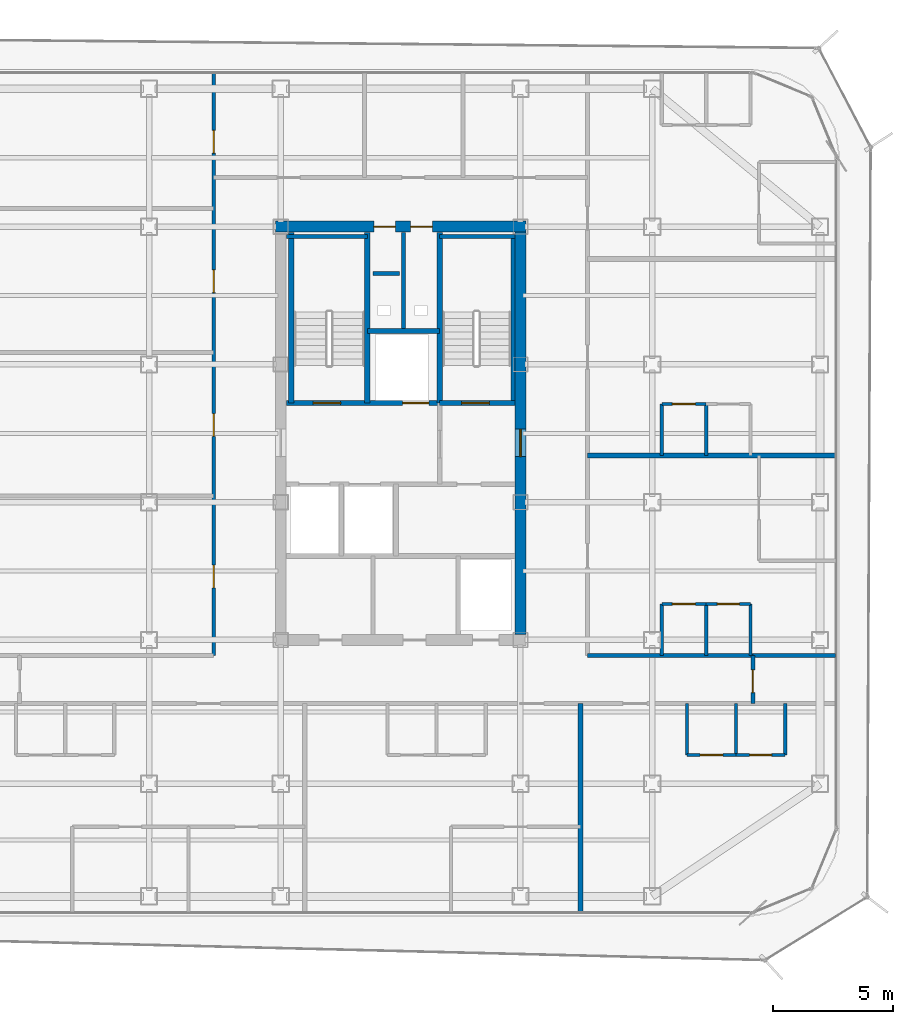
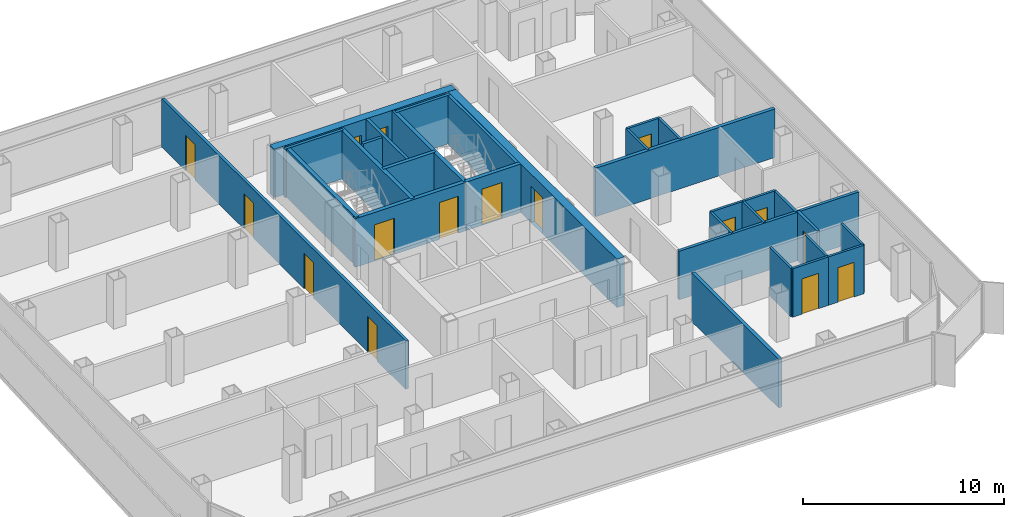
# One storey, part 11 of 15: 32 walls, 16 doors, 16 openings.
"""IFC4 building model written with IfcOpenShell, lengths in metres."""

from ifc_helpers import new_model, si_unit, direction, frame, frame_2d, origin, place, context, subcontext, project, spatial, rectangle, extrude, material, layer, layer_set, type_object, element, fill, save


model = new_model("IFC4")

# Units and contexts
model_context = context("Model", 3, precision=1e-05, world=origin(), true_north=direction((0.0, 1.0)))
body_context = subcontext(model_context, "Body", "Model", "MODEL_VIEW")
ifc_project = project(units=[si_unit("LENGTHUNIT", "METRE"), si_unit("AREAUNIT", "SQUARE_METRE"), si_unit("VOLUMEUNIT", "CUBIC_METRE"), si_unit("PLANEANGLEUNIT", "RADIAN"), si_unit("MASSUNIT", "GRAM", prefix="KILO")], contexts=[model_context])

# Site, building, storey
site_placement = place(None, origin())
site = spatial("IfcSite", under=ifc_project, at=site_placement, CompositionType="ELEMENT")
building_placement = place(site_placement, origin())
building = spatial("IfcBuilding", under=site, at=building_placement, Name="Kolveth Station Tower", CompositionType="ELEMENT")
storey_placement = place(building_placement, frame((0.0, 0.0, 199.60009765625)))
storey = spatial("IfcBuildingStorey", under=building, at=storey_placement, Name="L56", CompositionType="ELEMENT", Elevation=199.60009765625)

# Wall, openings, doors
ifc_material_1 = material(Name="Concrete C50/60", Category="concrete")
ifc_layer_1 = layer(ifc_material_1, 0.449951171875)
ifc_layer_set_1 = layer_set([ifc_layer_1], Name="Concrete C50/60")
wall_type_1 = type_object("IfcWallType", Name="Wall_CW-450", PredefinedType="SHEAR", material=ifc_layer_set_1)
wall_1_placement = place(storey_placement, frame((18.27490234375, 28.75, 0.0), z_axis=(0.0, 0.0, 1.0), x_axis=(1.0, 0.0, 0.0)))
wall_1 = element("IfcWall", 1, at=wall_1_placement, inside=storey, type_object=wall_type_1, Name="L56 Core RC Shear Wall N", PredefinedType="SHEAR", context=body_context, shape_type="SweptSolid", body=[
    extrude(rectangle(XDim=10.4501953125, YDim=0.449951171875, at=frame_2d((5.22509765625, 0.0))), origin(), (0.0, 0.0, 1.0), 2.949951171875),
])
opening_1_placement = place(wall_1_placement, frame((4.10498046875, 0.0, 0.0)))
opening_1 = element("IfcOpeningElement", 2, at=opening_1_placement, cuts=wall_1, Name="Opening RD1", PredefinedType="OPENING", context=body_context, shape_type="SweptSolid", body=[
    extrude(rectangle(XDim=0.89990234375, YDim=2.050048828125, at=frame_2d((0.449951171875, 1.02490234375))), frame((0.0, 0.23486328125, 0.0), z_axis=(0.0, -1.0, 0.0), x_axis=(1.0, 0.0, 0.0)), (0.0, 0.0, 1.0), 0.469970703125),
])
opening_2_placement = place(wall_1_placement, frame((5.64501953125, 0.0, 0.0)))
opening_2 = element("IfcOpeningElement", 3, at=opening_2_placement, cuts=wall_1, Name="Opening RD1", PredefinedType="OPENING", context=body_context, shape_type="SweptSolid", body=[
    extrude(rectangle(XDim=0.89990234375, YDim=2.050048828125, at=frame_2d((0.449951171875, 1.02490234375))), frame((0.0, 0.23486328125, 0.0), z_axis=(0.0, -1.0, 0.0), x_axis=(1.0, 0.0, 0.0)), (0.0, 0.0, 1.0), 0.469970703125),
])
ifc_material_2 = material(Name="Fire-rated Steel S355 riser access leaf", Category="steel")
door_type_1 = type_object("IfcDoorType", Name="Door_RD1", OperationType="NOTDEFINED", PredefinedType="DOOR", material=ifc_material_2)
door_1_placement = place(opening_1_placement, origin())
door_1 = element("IfcDoor", 4, at=door_1_placement, inside=storey, type_object=door_type_1, Name="L56 Electrical Riser Access Door", OperationType="SINGLE_SWING_RIGHT", OverallHeight=2.050048828125, OverallWidth=0.89990234375, PredefinedType="DOOR", context=body_context, shape_type="SweptSolid", body=[
    extrude(rectangle(XDim=0.89990234375, YDim=2.050048828125, at=frame_2d((0.449951171875, 1.02490234375))), frame((0.0, 0.02490234375, 0.0), z_axis=(0.0, -1.0, 0.0), x_axis=(1.0, 0.0, 0.0)), (0.0, 0.0, 1.0), 0.050048828125),
])
fill(opening_1, door_1)
door_2_placement = place(opening_2_placement, origin())
door_2 = element("IfcDoor", 5, at=door_2_placement, inside=storey, type_object=door_type_1, Name="L56 Smoke Duct Access Door", OperationType="SINGLE_SWING_LEFT", OverallHeight=2.050048828125, OverallWidth=0.89990234375, PredefinedType="DOOR", context=body_context, shape_type="SweptSolid", body=[
    extrude(rectangle(XDim=0.89990234375, YDim=2.050048828125, at=frame_2d((0.449951171875, 1.02490234375))), frame((0.0, 0.02490234375, 0.0), z_axis=(0.0, -1.0, 0.0), x_axis=(1.0, 0.0, 0.0)), (0.0, 0.0, 1.0), 0.050048828125),
])
fill(opening_2, door_2)

# Wall, opening, door
wall_2_placement = place(storey_placement, frame((28.5, 11.72509765625, 0.0), z_axis=(0.0, 0.0, 1.0), x_axis=(0.0, 1.0, 0.0)))
wall_2 = element("IfcWall", 6, at=wall_2_placement, inside=storey, type_object=wall_type_1, Name="L56 Core RC Shear Wall E", PredefinedType="SHEAR", context=body_context, shape_type="SweptSolid", body=[
    extrude(rectangle(XDim=16.7998046875, YDim=0.449951171875, at=frame_2d((8.39990234375, 0.0))), origin(), (0.0, 0.0, 1.0), 2.949951171875),
])
opening_3_placement = place(wall_2_placement, frame((7.425048828125, 0.0, 0.0)))
opening_3 = element("IfcOpeningElement", 7, at=opening_3_placement, cuts=wall_2, Name="Opening FD1", PredefinedType="OPENING", context=body_context, shape_type="SweptSolid", body=[
    extrude(rectangle(XDim=1.14990234375, YDim=2.199951171875, at=frame_2d((0.574951171875, 1.10009765625))), frame((0.0, 0.23486328125, 0.0), z_axis=(0.0, -1.0, 0.0), x_axis=(1.0, 0.0, 0.0)), (0.0, 0.0, 1.0), 0.469970703125),
])
ifc_material_3 = material(Name="Fire-rated Steel S355 leaf and frame", Category="steel")
door_type_2 = type_object("IfcDoorType", Name="Door_FD1", OperationType="NOTDEFINED", PredefinedType="DOOR", material=ifc_material_3)
door_3_placement = place(opening_3_placement, origin())
door_3 = element("IfcDoor", 8, at=door_3_placement, inside=storey, type_object=door_type_2, Name="L56 East Corridor to Stair Lobby Door", OperationType="SINGLE_SWING_LEFT", OverallHeight=2.199951171875, OverallWidth=1.14990234375, PredefinedType="DOOR", context=body_context, shape_type="SweptSolid", body=[
    extrude(rectangle(XDim=1.14990234375, YDim=2.199951171875, at=frame_2d((0.574951171875, 1.10009765625))), frame((0.0, 0.02490234375, 0.0), z_axis=(0.0, -1.0, 0.0), x_axis=(1.0, 0.0, 0.0)), (0.0, 0.0, 1.0), 0.050048828125),
])
fill(opening_3, door_3)

ifc_material_4 = material(Name="Moisture-resistant gypsum partition")
ifc_layer_2 = layer(ifc_material_4, 0.135009765625)
ifc_layer_set_2 = layer_set([ifc_layer_2], Name="Moisture-resistant gypsum partition")
wall_type_2 = type_object("IfcWallType", Name="Wall_IW-135", PredefinedType="PARTITIONING", material=ifc_layer_set_2)
wall_3_placement = place(storey_placement, frame((35.449951171875, 6.699951171875, 0.0), z_axis=(0.0, 0.0, 1.0), x_axis=(1.0, 0.0, 0.0)))
wall_3 = element("IfcWall", 9, at=wall_3_placement, inside=storey, type_object=wall_type_2, Name="L56 Partition Wall WL-L56-A3-IBHK", PredefinedType="PARTITIONING", context=body_context, shape_type="SweptSolid", body=[
    extrude(rectangle(XDim=2.050048828125, YDim=0.135009765625, at=frame_2d((1.02490234375, 0.0))), origin(), (0.0, 0.0, 1.0), 2.949951171875),
])
opening_4_placement = place(wall_3_placement, frame((0.544921875, 0.0, 0.0)))
opening_4 = element("IfcOpeningElement", 10, at=opening_4_placement, cuts=wall_3, Name="Opening ID1", PredefinedType="OPENING", context=body_context, shape_type="SweptSolid", body=[
    extrude(rectangle(XDim=0.949951171875, YDim=2.14990234375, at=frame_2d((0.47509765625, 1.074951171875))), frame((0.0, 0.077392578125, 0.0), z_axis=(0.0, -1.0, 0.0), x_axis=(1.0, 0.0, 0.0)), (0.0, 0.0, 1.0), 0.155029296875),
])
ifc_material_5 = material(Name="Acoustic hardwood leaf and aluminium frame", Category="wood")
door_type_3 = type_object("IfcDoorType", Name="Door_ID1", OperationType="NOTDEFINED", PredefinedType="DOOR", material=ifc_material_5)
door_4_placement = place(opening_4_placement, origin())
door_4 = element("IfcDoor", 11, at=door_4_placement, inside=storey, type_object=door_type_3, Name="Flat L56-A3 Kitchen Door", OperationType="SINGLE_SWING_LEFT", OverallHeight=2.14990234375, OverallWidth=0.949951171875, PredefinedType="DOOR", context=body_context, shape_type="SweptSolid", body=[
    extrude(rectangle(XDim=0.949951171875, YDim=2.14990234375, at=frame_2d((0.47509765625, 1.074951171875))), frame((0.0, 0.02490234375, 0.0), z_axis=(0.0, -1.0, 0.0), x_axis=(1.0, 0.0, 0.0)), (0.0, 0.0, 1.0), 0.050048828125),
])
fill(opening_4, door_4)

wall_4_placement = place(storey_placement, frame((37.5, 6.699951171875, 0.0), z_axis=(0.0, 0.0, 1.0), x_axis=(1.0, 0.0, 0.0)))
wall_4 = element("IfcWall", 12, at=wall_4_placement, inside=storey, type_object=wall_type_2, Name="L56 Partition Wall WL-L56-A3-IBHB", PredefinedType="PARTITIONING", context=body_context, shape_type="SweptSolid", body=[
    extrude(rectangle(XDim=2.050048828125, YDim=0.135009765625, at=frame_2d((1.02490234375, 0.0))), origin(), (0.0, 0.0, 1.0), 2.949951171875),
])
opening_5_placement = place(wall_4_placement, frame((0.56494140625, 0.0, 0.0)))
opening_5 = element("IfcOpeningElement", 13, at=opening_5_placement, cuts=wall_4, Name="Opening ID2", PredefinedType="OPENING", context=body_context, shape_type="SweptSolid", body=[
    extrude(rectangle(XDim=0.919921875, YDim=2.10009765625, at=frame_2d((0.4599609375, 1.050048828125))), frame((0.0, 0.077392578125, 0.0), z_axis=(0.0, -1.0, 0.0), x_axis=(1.0, 0.0, 0.0)), (0.0, 0.0, 1.0), 0.155029296875),
])
ifc_material_6 = material(Name="Moisture-resistant hardwood leaf", Category="wood")
door_type_4 = type_object("IfcDoorType", Name="Door_ID2", OperationType="NOTDEFINED", PredefinedType="DOOR", material=ifc_material_6)
door_5_placement = place(opening_5_placement, origin())
door_5 = element("IfcDoor", 14, at=door_5_placement, inside=storey, type_object=door_type_4, Name="Flat L56-A3 Bathroom Door", OperationType="SINGLE_SWING_LEFT", OverallHeight=2.10009765625, OverallWidth=0.919921875, PredefinedType="DOOR", context=body_context, shape_type="SweptSolid", body=[
    extrude(rectangle(XDim=0.919921875, YDim=2.10009765625, at=frame_2d((0.4599609375, 1.050048828125))), frame((0.0, 0.02490234375, 0.0), z_axis=(0.0, -1.0, 0.0), x_axis=(1.0, 0.0, 0.0)), (0.0, 0.0, 1.0), 0.050048828125),
])
fill(opening_5, door_5)

# Walls
for number, where, z_axis, x_axis, name in (
    (15, (35.449951171875, 6.699951171875, 0.0), (0.0, 0.0, 1.0), (0.0, 1.0, 0.0), "L56 Partition Wall WL-L56-A3-IBV0"),
    (16, (37.5, 6.699951171875, 0.0), (0.0, 0.0, 1.0), (0.0, 1.0, 0.0), "L56 Partition Wall WL-L56-A3-IBV1"),
    (17, (39.550048828125, 6.699951171875, 0.0), (0.0, 0.0, 1.0), (0.0, 1.0, 0.0), "L56 Partition Wall WL-L56-A3-IBV2"),
):
    element("IfcWall", number, at=place(storey_placement, frame(where, z_axis=z_axis, x_axis=x_axis)), inside=storey, type_object=wall_type_2, Name=name, PredefinedType="PARTITIONING", context=body_context, shape_type="SweptSolid", body=[
        extrude(rectangle(XDim=2.150146484375, YDim=0.135009765625, at=frame_2d((1.0751953125, 0.0))), origin(), (0.0, 0.0, 1.0), 2.949951171875),
    ])

# Wall, opening, door
wall_5_placement = place(storey_placement, frame((34.39990234375, 13.0, 0.0), z_axis=(0.0, 0.0, 1.0), x_axis=(1.0, 0.0, 0.0)))
wall_5 = element("IfcWall", 18, at=wall_5_placement, inside=storey, type_object=wall_type_2, Name="L56 Partition Wall WL-L56-E1-IBHK", PredefinedType="PARTITIONING", context=body_context, shape_type="SweptSolid", body=[
    extrude(rectangle(XDim=1.85009765625, YDim=0.135009765625, at=frame_2d((0.925048828125, 0.0))), origin(), (0.0, 0.0, 1.0), 2.949951171875),
])
opening_6_placement = place(wall_5_placement, frame((0.445068359375, 0.0, 0.0)))
opening_6 = element("IfcOpeningElement", 19, at=opening_6_placement, cuts=wall_5, Name="Opening ID1", PredefinedType="OPENING", context=body_context, shape_type="SweptSolid", body=[
    extrude(rectangle(XDim=0.949951171875, YDim=2.14990234375, at=frame_2d((0.47509765625, 1.074951171875))), frame((0.0, 0.077392578125, 0.0), z_axis=(0.0, -1.0, 0.0), x_axis=(1.0, 0.0, 0.0)), (0.0, 0.0, 1.0), 0.155029296875),
])
door_6_placement = place(opening_6_placement, origin())
door_6 = element("IfcDoor", 20, at=door_6_placement, inside=storey, type_object=door_type_3, Name="Flat L56-E1 Kitchen Door", OperationType="SINGLE_SWING_RIGHT", OverallHeight=2.14990234375, OverallWidth=0.949951171875, PredefinedType="DOOR", context=body_context, shape_type="SweptSolid", body=[
    extrude(rectangle(XDim=0.949951171875, YDim=2.14990234375, at=frame_2d((0.47509765625, 1.074951171875))), frame((0.0, 0.02490234375, 0.0), z_axis=(0.0, -1.0, 0.0), x_axis=(1.0, 0.0, 0.0)), (0.0, 0.0, 1.0), 0.050048828125),
])
fill(opening_6, door_6)

wall_6_placement = place(storey_placement, frame((36.25, 13.0, 0.0), z_axis=(0.0, 0.0, 1.0), x_axis=(1.0, 0.0, 0.0)))
wall_6 = element("IfcWall", 21, at=wall_6_placement, inside=storey, type_object=wall_type_2, Name="L56 Partition Wall WL-L56-E1-IBHB", PredefinedType="PARTITIONING", context=body_context, shape_type="SweptSolid", body=[
    extrude(rectangle(XDim=1.85009765625, YDim=0.135009765625, at=frame_2d((0.925048828125, 0.0))), origin(), (0.0, 0.0, 1.0), 2.949951171875),
])
opening_7_placement = place(wall_6_placement, frame((0.465087890625, 0.0, 0.0)))
opening_7 = element("IfcOpeningElement", 22, at=opening_7_placement, cuts=wall_6, Name="Opening ID2", PredefinedType="OPENING", context=body_context, shape_type="SweptSolid", body=[
    extrude(rectangle(XDim=0.919921875, YDim=2.10009765625, at=frame_2d((0.4599609375, 1.050048828125))), frame((0.0, 0.077392578125, 0.0), z_axis=(0.0, -1.0, 0.0), x_axis=(1.0, 0.0, 0.0)), (0.0, 0.0, 1.0), 0.155029296875),
])
door_7_placement = place(opening_7_placement, origin())
door_7 = element("IfcDoor", 23, at=door_7_placement, inside=storey, type_object=door_type_4, Name="Flat L56-E1 Bathroom Door", OperationType="SINGLE_SWING_LEFT", OverallHeight=2.10009765625, OverallWidth=0.919921875, PredefinedType="DOOR", context=body_context, shape_type="SweptSolid", body=[
    extrude(rectangle(XDim=0.919921875, YDim=2.10009765625, at=frame_2d((0.4599609375, 1.050048828125))), frame((0.0, 0.02490234375, 0.0), z_axis=(0.0, -1.0, 0.0), x_axis=(1.0, 0.0, 0.0)), (0.0, 0.0, 1.0), 0.050048828125),
])
fill(opening_7, door_7)

# Walls
for number, where, z_axis, x_axis, name in (
    (24, (34.39990234375, 10.85009765625, 0.0), (0.0, 0.0, 1.0), (0.0, 1.0, 0.0), "L56 Partition Wall WL-L56-E1-IBV0"),
    (25, (36.25, 10.85009765625, 0.0), (0.0, 0.0, 1.0), (0.0, 1.0, 0.0), "L56 Partition Wall WL-L56-E1-IBV1"),
    (26, (38.10009765625, 10.85009765625, 0.0), (0.0, 0.0, 1.0), (0.0, 1.0, 0.0), "L56 Partition Wall WL-L56-E1-IBV2"),
):
    element("IfcWall", number, at=place(storey_placement, frame(where, z_axis=z_axis, x_axis=x_axis)), inside=storey, type_object=wall_type_2, Name=name, PredefinedType="PARTITIONING", context=body_context, shape_type="SweptSolid", body=[
        extrude(rectangle(XDim=2.14990234375, YDim=0.135009765625, at=frame_2d((1.074951171875, 0.0))), origin(), (0.0, 0.0, 1.0), 2.949951171875),
    ])

# Wall, opening, door
wall_7_placement = place(storey_placement, frame((34.39990234375, 21.35009765625, 0.0), z_axis=(0.0, 0.0, 1.0), x_axis=(1.0, 0.0, 0.0)))
wall_7 = element("IfcWall", 27, at=wall_7_placement, inside=storey, type_object=wall_type_2, Name="L56 Partition Wall WL-L56-E2-IBHK", PredefinedType="PARTITIONING", context=body_context, shape_type="SweptSolid", body=[
    extrude(rectangle(XDim=1.85009765625, YDim=0.135009765625, at=frame_2d((0.925048828125, 0.0))), origin(), (0.0, 0.0, 1.0), 2.949951171875),
])
opening_8_placement = place(wall_7_placement, frame((0.445068359375, 0.0, 0.0)))
opening_8 = element("IfcOpeningElement", 28, at=opening_8_placement, cuts=wall_7, Name="Opening ID1", PredefinedType="OPENING", context=body_context, shape_type="SweptSolid", body=[
    extrude(rectangle(XDim=0.949951171875, YDim=2.14990234375, at=frame_2d((0.47509765625, 1.074951171875))), frame((0.0, 0.077392578125, 0.0), z_axis=(0.0, -1.0, 0.0), x_axis=(1.0, 0.0, 0.0)), (0.0, 0.0, 1.0), 0.155029296875),
])
door_8_placement = place(opening_8_placement, origin())
door_8 = element("IfcDoor", 29, at=door_8_placement, inside=storey, type_object=door_type_3, Name="Flat L56-E2 Kitchen Door", OperationType="SINGLE_SWING_RIGHT", OverallHeight=2.14990234375, OverallWidth=0.949951171875, PredefinedType="DOOR", context=body_context, shape_type="SweptSolid", body=[
    extrude(rectangle(XDim=0.949951171875, YDim=2.14990234375, at=frame_2d((0.47509765625, 1.074951171875))), frame((0.0, 0.02490234375, 0.0), z_axis=(0.0, -1.0, 0.0), x_axis=(1.0, 0.0, 0.0)), (0.0, 0.0, 1.0), 0.050048828125),
])
fill(opening_8, door_8)

# Walls
for number, where, z_axis, x_axis, name in (
    (30, (34.39990234375, 19.199951171875, 0.0), (0.0, 0.0, 1.0), (0.0, 1.0, 0.0), "L56 Partition Wall WL-L56-E2-IBV0"),
    (31, (36.25, 19.199951171875, 0.0), (0.0, 0.0, 1.0), (0.0, 1.0, 0.0), "L56 Partition Wall WL-L56-E2-IBV1"),
):
    element("IfcWall", number, at=place(storey_placement, frame(where, z_axis=z_axis, x_axis=x_axis)), inside=storey, type_object=wall_type_2, Name=name, PredefinedType="PARTITIONING", context=body_context, shape_type="SweptSolid", body=[
        extrude(rectangle(XDim=2.150146484375, YDim=0.135009765625, at=frame_2d((1.0751953125, 0.0))), origin(), (0.0, 0.0, 1.0), 2.949951171875),
    ])
ifc_material_7 = material(Name="Acoustic double-stud gypsum partition")
ifc_layer_3 = layer(ifc_material_7, 0.1650390625)
ifc_layer_set_3 = layer_set([ifc_layer_3], Name="Acoustic double-stud gypsum partition")
wall_type_3 = type_object("IfcWallType", Name="Wall_IW-165", PredefinedType="PARTITIONING", material=ifc_layer_set_3)
wall_8_placement = place(storey_placement, frame((18.735107421875, 28.3349609375, 0.0), z_axis=(0.0, 0.0, 1.0), x_axis=(1.0, 0.0, 0.0)))
element("IfcWall", 32, at=wall_8_placement, inside=storey, type_object=wall_type_3, Name="L56 Stair Shaft Wall WL-L56-ST1-N", PredefinedType="PARTITIONING", context=body_context, shape_type="SweptSolid", body=[
    extrude(rectangle(XDim=3.375, YDim=0.1650390625, at=frame_2d((1.6875, 0.0))), origin(), (0.0, 0.0, 1.0), 2.949951171875),
])
wall_9_placement = place(storey_placement, frame((25.1298828125, 28.3349609375, 0.0), z_axis=(0.0, 0.0, 1.0), x_axis=(1.0, 0.0, 0.0)))
element("IfcWall", 33, at=wall_9_placement, inside=storey, type_object=wall_type_3, Name="L56 Stair Shaft Wall WL-L56-ST2-N", PredefinedType="PARTITIONING", context=body_context, shape_type="SweptSolid", body=[
    extrude(rectangle(XDim=3.135009765625, YDim=0.1650390625, at=frame_2d((1.5673828125, 0.0))), origin(), (0.0, 0.0, 1.0), 2.949951171875),
])
wall_10_placement = place(storey_placement, frame((28.1826171875, 21.389892578125, 0.0), z_axis=(0.0, 0.0, 1.0), x_axis=(0.0, 1.0, 0.0)))
element("IfcWall", 34, at=wall_10_placement, inside=storey, type_object=wall_type_3, Name="L56 Stair Shaft Wall WL-L56-ST2-E", PredefinedType="PARTITIONING", context=body_context, shape_type="SweptSolid", body=[
    extrude(rectangle(XDim=6.945068359375, YDim=0.1650390625, at=frame_2d((3.47265625, 0.0))), origin(), (0.0, 0.0, 1.0), 2.949951171875),
])
wall_11_placement = place(storey_placement, frame((23.6201171875, 24.39990234375, 0.0), z_axis=(0.0, 0.0, 1.0), x_axis=(0.0, 1.0, 0.0)))
element("IfcWall", 35, at=wall_11_placement, inside=storey, type_object=wall_type_3, Name="L56 Partition Wall WL-L56-RSR-M", PredefinedType="PARTITIONING", context=body_context, shape_type="SweptSolid", body=[
    extrude(rectangle(XDim=4.114990234375, YDim=0.1650390625, at=frame_2d((2.0576171875, 0.0))), origin(), (0.0, 0.0, 1.0), 2.949951171875),
])
wall_12_placement = place(storey_placement, frame((31.300048828125, 10.85009765625, 0.0), z_axis=(0.0, 0.0, 1.0), x_axis=(1.0, 0.0, 0.0)))
element("IfcWall", 36, at=wall_12_placement, inside=storey, type_object=wall_type_3, Name="L56 Partition Wall WL-L56-RSET", PredefinedType="PARTITIONING", context=body_context, shape_type="SweptSolid", body=[
    extrude(rectangle(XDim=6.89990234375, YDim=0.1650390625, at=frame_2d((3.449951171875, 0.0))), origin(), (0.0, 0.0, 1.0), 2.949951171875),
])

# Wall, opening, door
wall_13_placement = place(storey_placement, frame((38.199951171875, 8.85009765625, 0.0), z_axis=(0.0, 0.0, 1.0), x_axis=(0.0, 1.0, 0.0)))
wall_13 = element("IfcWall", 37, at=wall_13_placement, inside=storey, type_object=wall_type_3, Name="L56 Partition Wall WL-L56-RSEE", PredefinedType="PARTITIONING", context=body_context, shape_type="SweptSolid", body=[
    extrude(rectangle(XDim=2.0, YDim=0.1650390625, at=frame_2d((1.0, 0.0))), origin(), (0.0, 0.0, 1.0), 2.949951171875),
])
opening_9_placement = place(wall_13_placement, frame((0.449951171875, 0.0, 0.0)))
opening_9 = element("IfcOpeningElement", 38, at=opening_9_placement, cuts=wall_13, Name="Opening ID1", PredefinedType="OPENING", context=body_context, shape_type="SweptSolid", body=[
    extrude(rectangle(XDim=0.949951171875, YDim=2.14990234375, at=frame_2d((0.47509765625, 1.074951171875))), frame((0.0, 0.092529296875, 0.0), z_axis=(0.0, -1.0, 0.0), x_axis=(1.0, 0.0, 0.0)), (0.0, 0.0, 1.0), 0.18505859375),
])
door_9_placement = place(opening_9_placement, origin())
door_9 = element("IfcDoor", 39, at=door_9_placement, inside=storey, type_object=door_type_3, Name="L56 Hobby Study Door", OperationType="SINGLE_SWING_LEFT", OverallHeight=2.14990234375, OverallWidth=0.949951171875, PredefinedType="DOOR", context=body_context, shape_type="SweptSolid", body=[
    extrude(rectangle(XDim=0.949951171875, YDim=2.14990234375, at=frame_2d((0.47509765625, 1.074951171875))), frame((0.0, 0.02490234375, 0.0), z_axis=(0.0, -1.0, 0.0), x_axis=(1.0, 0.0, 0.0)), (0.0, 0.0, 1.0), 0.050048828125),
])
fill(opening_9, door_9)

# Wall, openings, doors
wall_14_placement = place(storey_placement, frame((15.699951171875, 10.85009765625, 0.0), z_axis=(0.0, 0.0, 1.0), x_axis=(0.0, 1.0, 0.0)))
wall_14 = element("IfcWall", 40, at=wall_14_placement, inside=storey, type_object=wall_type_3, Name="L56 Partition Wall WL-L56-RW", PredefinedType="PARTITIONING", context=body_context, shape_type="SweptSolid", body=[
    extrude(rectangle(XDim=24.289794921875, YDim=0.1650390625, at=frame_2d((12.14501953125, 0.0))), origin(), (0.0, 0.0, 1.0), 2.949951171875),
])
opening_10_placement = place(wall_14_placement, frame((2.824951171875, 0.0, 0.0)))
opening_10 = element("IfcOpeningElement", 41, at=opening_10_placement, cuts=wall_14, Name="Opening ID1", PredefinedType="OPENING", context=body_context, shape_type="SweptSolid", body=[
    extrude(rectangle(XDim=0.949951171875, YDim=2.14990234375, at=frame_2d((0.47509765625, 1.074951171875))), frame((0.0, 0.092529296875, 0.0), z_axis=(0.0, -1.0, 0.0), x_axis=(1.0, 0.0, 0.0)), (0.0, 0.0, 1.0), 0.18505859375),
])
opening_11_placement = place(wall_14_placement, frame((9.14990234375, 0.0, 0.0)))
opening_11 = element("IfcOpeningElement", 42, at=opening_11_placement, cuts=wall_14, Name="Opening ID1", PredefinedType="OPENING", context=body_context, shape_type="SweptSolid", body=[
    extrude(rectangle(XDim=0.949951171875, YDim=2.14990234375, at=frame_2d((0.47509765625, 1.074951171875))), frame((0.0, 0.092529296875, 0.0), z_axis=(0.0, -1.0, 0.0), x_axis=(1.0, 0.0, 0.0)), (0.0, 0.0, 1.0), 0.18505859375),
])
opening_12_placement = place(wall_14_placement, frame((15.14990234375, 0.0, 0.0)))
opening_12 = element("IfcOpeningElement", 43, at=opening_12_placement, cuts=wall_14, Name="Opening ID1", PredefinedType="OPENING", context=body_context, shape_type="SweptSolid", body=[
    extrude(rectangle(XDim=0.949951171875, YDim=2.14990234375, at=frame_2d((0.47509765625, 1.074951171875))), frame((0.0, 0.092529296875, 0.0), z_axis=(0.0, -1.0, 0.0), x_axis=(1.0, 0.0, 0.0)), (0.0, 0.0, 1.0), 0.18505859375),
])
opening_13_placement = place(wall_14_placement, frame((20.969970703125, 0.0, 0.0)))
opening_13 = element("IfcOpeningElement", 44, at=opening_13_placement, cuts=wall_14, Name="Opening ID1", PredefinedType="OPENING", context=body_context, shape_type="SweptSolid", body=[
    extrude(rectangle(XDim=0.949951171875, YDim=2.14990234375, at=frame_2d((0.47509765625, 1.074951171875))), frame((0.0, 0.092529296875, 0.0), z_axis=(0.0, -1.0, 0.0), x_axis=(1.0, 0.0, 0.0)), (0.0, 0.0, 1.0), 0.18505859375),
])
door_10_placement = place(opening_10_placement, frame((0.949951171875, 0.0, 0.0), z_axis=(0.0, 0.0, 1.0), x_axis=(-1.0, 0.0, 0.0)))
door_10 = element("IfcDoor", 45, at=door_10_placement, inside=storey, type_object=door_type_3, Name="L56 Live-Work Office W1 Door", OperationType="SINGLE_SWING_RIGHT", OverallHeight=2.14990234375, OverallWidth=0.949951171875, PredefinedType="DOOR", context=body_context, shape_type="SweptSolid", body=[
    extrude(rectangle(XDim=0.949951171875, YDim=2.14990234375, at=frame_2d((0.47509765625, 1.074951171875))), frame((0.0, 0.02490234375, 0.0), z_axis=(0.0, -1.0, 0.0), x_axis=(1.0, 0.0, 0.0)), (0.0, 0.0, 1.0), 0.050048828125),
])
fill(opening_10, door_10)
door_11_placement = place(opening_11_placement, frame((0.949951171875, 0.0, 0.0), z_axis=(0.0, 0.0, 1.0), x_axis=(-1.0, 0.0, 0.0)))
door_11 = element("IfcDoor", 46, at=door_11_placement, inside=storey, type_object=door_type_3, Name="L56 Live-Work Office W2 Door", OperationType="SINGLE_SWING_LEFT", OverallHeight=2.14990234375, OverallWidth=0.949951171875, PredefinedType="DOOR", context=body_context, shape_type="SweptSolid", body=[
    extrude(rectangle(XDim=0.949951171875, YDim=2.14990234375, at=frame_2d((0.47509765625, 1.074951171875))), frame((0.0, 0.02490234375, 0.0), z_axis=(0.0, -1.0, 0.0), x_axis=(1.0, 0.0, 0.0)), (0.0, 0.0, 1.0), 0.050048828125),
])
fill(opening_11, door_11)
door_12_placement = place(opening_12_placement, frame((0.949951171875, 0.0, 0.0), z_axis=(0.0, 0.0, 1.0), x_axis=(-1.0, 0.0, 0.0)))
door_12 = element("IfcDoor", 47, at=door_12_placement, inside=storey, type_object=door_type_3, Name="L56 Live-Work Meeting Room Door", OperationType="SINGLE_SWING_RIGHT", OverallHeight=2.14990234375, OverallWidth=0.949951171875, PredefinedType="DOOR", context=body_context, shape_type="SweptSolid", body=[
    extrude(rectangle(XDim=0.949951171875, YDim=2.14990234375, at=frame_2d((0.47509765625, 1.074951171875))), frame((0.0, 0.02490234375, 0.0), z_axis=(0.0, -1.0, 0.0), x_axis=(1.0, 0.0, 0.0)), (0.0, 0.0, 1.0), 0.050048828125),
])
fill(opening_12, door_12)
door_13_placement = place(opening_13_placement, frame((0.949951171875, 0.0, 0.0), z_axis=(0.0, 0.0, 1.0), x_axis=(-1.0, 0.0, 0.0)))
door_13 = element("IfcDoor", 48, at=door_13_placement, inside=storey, type_object=door_type_3, Name="L56 Quiet Study Room Door", OperationType="SINGLE_SWING_LEFT", OverallHeight=2.14990234375, OverallWidth=0.949951171875, PredefinedType="DOOR", context=body_context, shape_type="SweptSolid", body=[
    extrude(rectangle(XDim=0.949951171875, YDim=2.14990234375, at=frame_2d((0.47509765625, 1.074951171875))), frame((0.0, 0.02490234375, 0.0), z_axis=(0.0, -1.0, 0.0), x_axis=(1.0, 0.0, 0.0)), (0.0, 0.0, 1.0), 0.050048828125),
])
fill(opening_13, door_13)

# Walls
wall_15_placement = place(storey_placement, frame((38.199951171875, 10.85009765625, 0.0), z_axis=(0.0, 0.0, 1.0), x_axis=(1.0, 0.0, 0.0)))
element("IfcWall", 49, at=wall_15_placement, inside=storey, type_object=wall_type_3, Name="L56 Partition Wall WL-L56-ESTN", PredefinedType="PARTITIONING", context=body_context, shape_type="SweptSolid", body=[
    extrude(rectangle(XDim=3.43994140625, YDim=0.1650390625, at=frame_2d((1.719970703125, 0.0))), origin(), (0.0, 0.0, 1.0), 2.949951171875),
])
wall_16_placement = place(storey_placement, frame((22.35009765625, 26.800048828125, 0.0), z_axis=(0.0, 0.0, 1.0), x_axis=(1.0, 0.0, 0.0)))
element("IfcWall", 50, at=wall_16_placement, inside=storey, type_object=wall_type_3, Name="L56 Acoustic Riser Dry-Lining Wall", PredefinedType="PARTITIONING", context=body_context, shape_type="SweptSolid", body=[
    extrude(rectangle(XDim=1.099853515625, YDim=0.1650390625, at=frame_2d((0.5498046875, 0.0))), origin(), (0.0, 0.0, 1.0), 2.949951171875),
])
ifc_material_8 = material(Name="Acoustic fire-rated gypsum blockwork", Category="masonry")
ifc_layer_4 = layer(ifc_material_8, 0.199951171875)
ifc_layer_set_4 = layer_set([ifc_layer_4], Name="Acoustic fire-rated gypsum blockwork")
wall_type_4 = type_object("IfcWallType", Name="Wall_IW-200", PredefinedType="PARTITIONING", material=ifc_layer_set_4)
wall_17_placement = place(storey_placement, frame((22.110107421875, 24.39990234375, 0.0), z_axis=(0.0, 0.0, 1.0), x_axis=(1.0, 0.0, 0.0)))
element("IfcWall", 51, at=wall_17_placement, inside=storey, type_object=wall_type_4, Name="L56 Partition Wall WL-L56-RSR-S", PredefinedType="PARTITIONING", context=body_context, shape_type="SweptSolid", body=[
    extrude(rectangle(XDim=3.019775390625, YDim=0.199951171875, at=frame_2d((1.509765625, 0.0))), origin(), (0.0, 0.0, 1.0), 2.949951171875),
])
wall_18_placement = place(storey_placement, frame((31.0, 0.159912109375, 0.0), z_axis=(0.0, 0.0, 1.0), x_axis=(0.0, 1.0, 0.0)))
element("IfcWall", 52, at=wall_18_placement, inside=storey, type_object=wall_type_4, Name="L56 Partition Wall WL-L56-RSU-2", PredefinedType="PARTITIONING", context=body_context, shape_type="SweptSolid", body=[
    extrude(rectangle(XDim=8.690185546875, YDim=0.199951171875, at=frame_2d((4.34521484375, 0.0))), origin(), (0.0, 0.0, 1.0), 2.949951171875),
])
wall_19_placement = place(storey_placement, frame((31.300048828125, 19.199951171875, 0.0), z_axis=(0.0, 0.0, 1.0), x_axis=(1.0, 0.0, 0.0)))
element("IfcWall", 53, at=wall_19_placement, inside=storey, type_object=wall_type_4, Name="L56 Partition Wall WL-L56-REU-1", PredefinedType="PARTITIONING", context=body_context, shape_type="SweptSolid", body=[
    extrude(rectangle(XDim=10.33984375, YDim=0.199951171875, at=frame_2d((5.169921875, 0.0))), origin(), (0.0, 0.0, 1.0), 2.949951171875),
])
ifc_material_9 = material(Name="Concrete C40/50", Category="concrete")
ifc_layer_5 = layer(ifc_material_9, 0.219970703125)
ifc_layer_set_5 = layer_set([ifc_layer_5], Name="Concrete C40/50")
wall_type_5 = type_object("IfcWallType", Name="Wall_IW-220", PredefinedType="SOLIDWALL", material=ifc_layer_set_5)
for number, where, z_axis, x_axis, name in (
    (54, (18.929931640625, 21.389892578125, 0.0), (0.0, 0.0, 1.0), (0.0, 1.0, 0.0), "L56 Stair Shaft Wall WL-L56-ST1-W"),
    (55, (22.110107421875, 21.389892578125, 0.0), (0.0, 0.0, 1.0), (0.0, 1.0, 0.0), "L56 Stair Shaft Wall WL-L56-ST1-E"),
    (56, (25.1298828125, 21.389892578125, 0.0), (0.0, 0.0, 1.0), (0.0, 1.0, 0.0), "L56 Stair Shaft Wall WL-L56-ST2-W"),
):
    element("IfcWall", number, at=place(storey_placement, frame(where, z_axis=z_axis, x_axis=x_axis)), inside=storey, type_object=wall_type_5, Name=name, PredefinedType="SOLIDWALL", context=body_context, shape_type="SweptSolid", body=[
        extrude(rectangle(XDim=7.110107421875, YDim=0.219970703125, at=frame_2d((3.55517578125, 0.0))), origin(), (0.0, 0.0, 1.0), 2.949951171875),
    ])

# Wall, openings, doors
wall_20_placement = place(storey_placement, frame((18.735107421875, 21.389892578125, 0.0), z_axis=(0.0, 0.0, 1.0), x_axis=(1.0, 0.0, 0.0)))
wall_20 = element("IfcWall", 57, at=wall_20_placement, inside=storey, type_object=wall_type_5, Name="L56 Stair Shaft Wall WL-L56-ST1-S", PredefinedType="SOLIDWALL", context=body_context, shape_type="SweptSolid", body=[
    extrude(rectangle(XDim=6.394775390625, YDim=0.219970703125, at=frame_2d((3.197265625, 0.0))), origin(), (0.0, 0.0, 1.0), 2.949951171875),
])
opening_14_placement = place(wall_20_placement, frame((1.114990234375, 0.0, 0.0)))
opening_14 = element("IfcOpeningElement", 58, at=opening_14_placement, cuts=wall_20, Name="Opening FD1", PredefinedType="OPENING", context=body_context, shape_type="SweptSolid", body=[
    extrude(rectangle(XDim=1.14990234375, YDim=2.199951171875, at=frame_2d((0.574951171875, 1.10009765625))), frame((0.0, 0.119873046875, 0.0), z_axis=(0.0, -1.0, 0.0), x_axis=(1.0, 0.0, 0.0)), (0.0, 0.0, 1.0), 0.239990234375),
])
opening_15_placement = place(wall_20_placement, frame((4.844970703125, 0.0, 0.0)))
opening_15 = element("IfcOpeningElement", 59, at=opening_15_placement, cuts=wall_20, Name="Opening LD1", PredefinedType="OPENING", context=body_context, shape_type="SweptSolid", body=[
    extrude(rectangle(XDim=1.10009765625, YDim=2.25, at=frame_2d((0.550048828125, 1.125))), frame((0.0, 0.119873046875, 0.0), z_axis=(0.0, -1.0, 0.0), x_axis=(1.0, 0.0, 0.0)), (0.0, 0.0, 1.0), 0.239990234375),
])
door_14_placement = place(opening_14_placement, frame((1.14990234375, 0.0, 0.0), z_axis=(0.0, 0.0, 1.0), x_axis=(-1.0, 0.0, 0.0)))
door_14 = element("IfcDoor", 60, at=door_14_placement, inside=storey, type_object=door_type_2, Name="L56 Stair ST1 Fire Door", OperationType="SINGLE_SWING_LEFT", OverallHeight=2.199951171875, OverallWidth=1.14990234375, PredefinedType="DOOR", context=body_context, shape_type="SweptSolid", body=[
    extrude(rectangle(XDim=1.14990234375, YDim=2.199951171875, at=frame_2d((0.574951171875, 1.10009765625))), frame((0.0, 0.02490234375, 0.0), z_axis=(0.0, -1.0, 0.0), x_axis=(1.0, 0.0, 0.0)), (0.0, 0.0, 1.0), 0.050048828125),
])
fill(opening_14, door_14)
ifc_material_10 = material(Name="Brushed stainless steel sliding landing doors", Category="steel")
door_type_5 = type_object("IfcDoorType", Name="Door_LD1", OperationType="NOTDEFINED", PredefinedType="DOOR", material=ifc_material_10)
door_15_placement = place(opening_15_placement, frame((1.10009765625, 0.0, 0.0), z_axis=(0.0, 0.0, 1.0), x_axis=(-1.0, 0.0, 0.0)))
door_15 = element("IfcDoor", 61, at=door_15_placement, inside=storey, type_object=door_type_5, Name="L56 Service Lift SV1 Landing Door", OperationType="DOUBLE_DOOR_SLIDING", OverallHeight=2.25, OverallWidth=1.10009765625, PredefinedType="DOOR", context=body_context, shape_type="SweptSolid", body=[
    extrude(rectangle(XDim=1.10009765625, YDim=2.25, at=frame_2d((0.550048828125, 1.125))), frame((0.0, 0.02490234375, 0.0), z_axis=(0.0, -1.0, 0.0), x_axis=(1.0, 0.0, 0.0)), (0.0, 0.0, 1.0), 0.050048828125),
])
fill(opening_15, door_15)

# Wall, opening, door
wall_21_placement = place(storey_placement, frame((25.1298828125, 21.389892578125, 0.0), z_axis=(0.0, 0.0, 1.0), x_axis=(1.0, 0.0, 0.0)))
wall_21 = element("IfcWall", 62, at=wall_21_placement, inside=storey, type_object=wall_type_5, Name="L56 Stair Shaft Wall WL-L56-ST2-S", PredefinedType="SOLIDWALL", context=body_context, shape_type="SweptSolid", body=[
    extrude(rectangle(XDim=3.135009765625, YDim=0.219970703125, at=frame_2d((1.5673828125, 0.0))), origin(), (0.0, 0.0, 1.0), 2.949951171875),
])
opening_16_placement = place(wall_21_placement, frame((0.919921875, 0.0, 0.0)))
opening_16 = element("IfcOpeningElement", 63, at=opening_16_placement, cuts=wall_21, Name="Opening FD1", PredefinedType="OPENING", context=body_context, shape_type="SweptSolid", body=[
    extrude(rectangle(XDim=1.14990234375, YDim=2.199951171875, at=frame_2d((0.574951171875, 1.10009765625))), frame((0.0, 0.119873046875, 0.0), z_axis=(0.0, -1.0, 0.0), x_axis=(1.0, 0.0, 0.0)), (0.0, 0.0, 1.0), 0.239990234375),
])
door_16_placement = place(opening_16_placement, frame((1.14990234375, 0.0, 0.0), z_axis=(0.0, 0.0, 1.0), x_axis=(-1.0, 0.0, 0.0)))
door_16 = element("IfcDoor", 64, at=door_16_placement, inside=storey, type_object=door_type_2, Name="L56 Stair ST2 Fire Door", OperationType="SINGLE_SWING_LEFT", OverallHeight=2.199951171875, OverallWidth=1.14990234375, PredefinedType="DOOR", context=body_context, shape_type="SweptSolid", body=[
    extrude(rectangle(XDim=1.14990234375, YDim=2.199951171875, at=frame_2d((0.574951171875, 1.10009765625))), frame((0.0, 0.02490234375, 0.0), z_axis=(0.0, -1.0, 0.0), x_axis=(1.0, 0.0, 0.0)), (0.0, 0.0, 1.0), 0.050048828125),
])
fill(opening_16, door_16)

save(model, "model.ifc")
